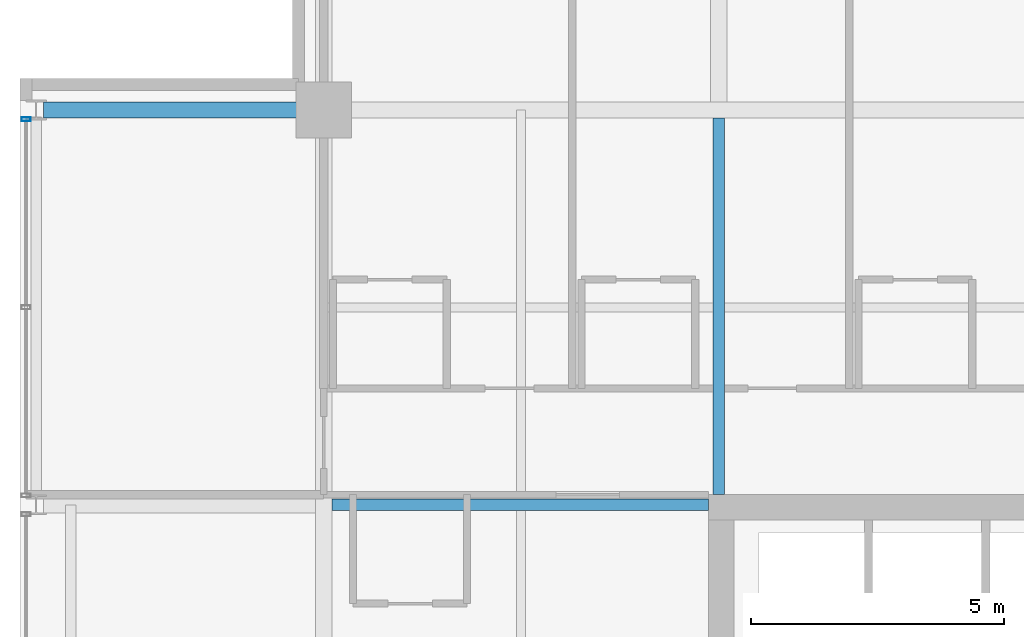
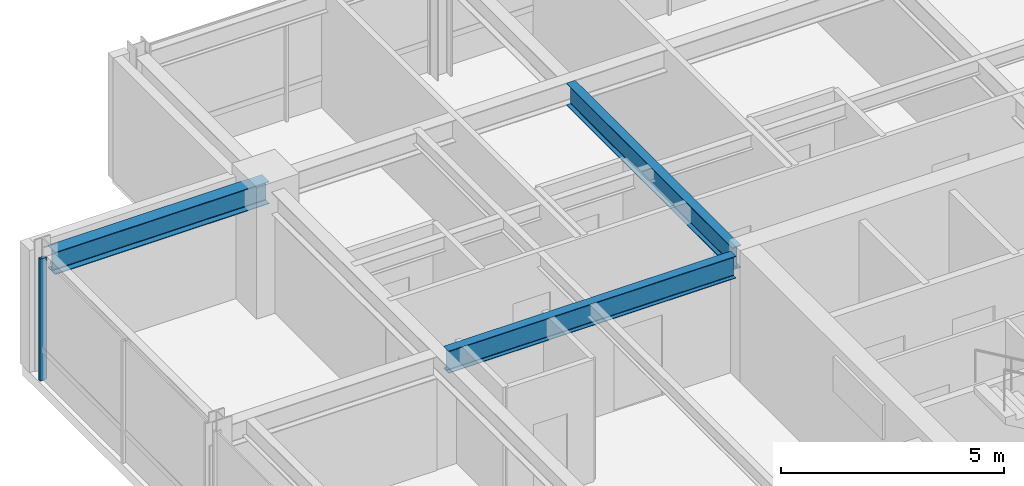
# One storey, part 19 of 34: 3 beams, 1 member, 1 element without a shape of its own.
"""IFC4 building model written with IfcOpenShell, lengths in metres."""

from ifc_helpers import new_model, si_unit, direction, frame, origin, origin_2d, place, context, subcontext, project, spatial, hollow_rectangle, i_section, extrude, material, layer, layer_set, material_profile, profile_set, type_object, element, aggregate, save


model = new_model("IFC4")

# Units and contexts
model_context = context("Model", 3, precision=1e-05, world=origin(), true_north=direction((0.0, 1.0)))
body_context = subcontext(model_context, "Body", "Model", "MODEL_VIEW")
ifc_project = project(units=[si_unit("LENGTHUNIT", "METRE"), si_unit("AREAUNIT", "SQUARE_METRE"), si_unit("VOLUMEUNIT", "CUBIC_METRE"), si_unit("PLANEANGLEUNIT", "RADIAN"), si_unit("MASSUNIT", "GRAM", prefix="KILO")], contexts=[model_context])

# Site, building, storey
site_placement = place(None, origin())
site = spatial("IfcSite", under=ifc_project, at=site_placement, CompositionType="ELEMENT")
building_placement = place(site_placement, origin())
building = spatial("IfcBuilding", under=site, at=building_placement, Name="Drelvath Grand Hotel", CompositionType="ELEMENT")
storey_placement = place(building_placement, frame((0.0, 0.0, 208.699951171875)))
storey = spatial("IfcBuildingStorey", under=building, at=storey_placement, Name="L54", CompositionType="ELEMENT", Elevation=208.699951171875)

# Curtain wall, member
ifc_material_1 = material(Name="Platinum-Mist Anodised Aluminium Frame", Category="aluminium")
ifc_layer = layer(ifc_material_1, 0.199951171875)
ifc_layer_set = layer_set([ifc_layer], Name="Platinum-Mist Anodised Aluminium Frame")
curtain_wall_type = type_object("IfcCurtainWallType", Name="Stick Curtain Wall CW-05 Platinum Mist High-Rise", PredefinedType="NOTDEFINED", material=ifc_layer_set)
curtain_wall_placement = place(storey_placement, origin())
curtain_wall = element("IfcCurtainWall", 1, at=curtain_wall_placement, inside=storey, type_object=curtain_wall_type, Name="L54 CW-05 Curtain Wall CW05-L54-WN2", PredefinedType="NOTDEFINED")
ifc_material_profile_1 = material_profile(ifc_material_1, hollow_rectangle(XDim=0.074951171875, YDim=0.179931640625, WallThickness=0.0048828125, at=origin_2d()), Name="HSS180X75X5")
ifc_profile_set_1 = profile_set([ifc_material_profile_1], Name="Platinum-Mist Anodised Aluminium Frame")
member_type = type_object("IfcMemberType", Name="Curtain Wall Vertical Mullion CW-05 HSS180X75X5", PredefinedType="MULLION", material=ifc_profile_set_1)
member_placement = place(storey_placement, frame((-22.080078125, 43.0146484375, 0.0), z_axis=(0.0, 0.0, 1.0), x_axis=(0.0, 1.0, 0.0)))
member = element("IfcMember", 2, at=member_placement, type_object=member_type, Name="CW05-L54-WN2 Mullion 3", PredefinedType="MULLION", context=body_context, shape_type="SweptSolid", body=[
    extrude(hollow_rectangle(XDim=0.074951171875, YDim=0.179931640625, WallThickness=0.0048828125, at=origin_2d()), origin(), (0.0, 0.0, 1.0), 3.340087890625),
])
aggregate(curtain_wall, [member])

# Beams
ifc_material_2 = material(Name="Steel ASTM A992 Gr 50", Category="steel")
ifc_material_profile_2 = material_profile(ifc_material_2, i_section(OverallWidth=0.323974609375, OverallDepth=0.611083984375, WebThickness=0.0126953125, FlangeThickness=0.01904296875, FilletRadius=0.02197265625, at=origin_2d()), Name="W24X104")
ifc_profile_set_2 = profile_set([ifc_material_profile_2], Name="Steel ASTM A992 Gr 50")
beam_type_1 = type_object("IfcBeamType", Name="Primary Floor Girder W24X104", PredefinedType="BEAM", material=ifc_profile_set_2)
beam_placement = place(storey_placement, frame((-21.739990234375, 43.199951171875, 3.034423828125), z_axis=(1.0, 0.0, 0.0), x_axis=(0.0, 1.0, 0.0)))
element("IfcBeam", 3, at=beam_placement, inside=storey, type_object=beam_type_1, Name="L54 West Grid Girder G", PredefinedType="BEAM", context=body_context, shape_type="SweptSolid", body=[
    extrude(i_section(OverallWidth=0.323974609375, OverallDepth=0.611083984375, WebThickness=0.0126953125, FlangeThickness=0.01904296875, FilletRadius=0.02197265625, at=origin_2d()), origin(), (0.0, 0.0, 1.0), 5.5400390625),
])
ifc_material_profile_3 = material_profile(ifc_material_2, i_section(OverallWidth=0.228271484375, OverallDepth=0.607666015625, WebThickness=0.01123046875, FlangeThickness=0.017333984375, FilletRadius=0.02001953125, at=origin_2d()), Name="W24X76")
ifc_profile_set_3 = profile_set([ifc_material_profile_3], Name="Steel ASTM A992 Gr 50")
beam_type_2 = type_object("IfcBeamType", Name="Primary Floor Girder W24X76", PredefinedType="BEAM", material=ifc_profile_set_3)
for number, where, z_axis, x_axis, name in (
    (4, (-16.0380859375, 35.39990234375, 3.0361328125), (1.0, 0.0, 0.0), (0.0, 1.0, 0.0), "L54 West Core Tie F"),
    (5, (-8.39990234375, 35.60009765625, 3.0361328125), (0.0, 1.0, 0.0), (-1.0, 0.0, 0.0), "L54 North Core Tie 4"),
):
    element("IfcBeam", number, at=place(storey_placement, frame(where, z_axis=z_axis, x_axis=x_axis)), inside=storey, type_object=beam_type_2, Name=name, PredefinedType="BEAM", context=body_context, shape_type="SweptSolid", body=[
        extrude(i_section(OverallWidth=0.228271484375, OverallDepth=0.607666015625, WebThickness=0.01123046875, FlangeThickness=0.017333984375, FilletRadius=0.02001953125, at=origin_2d()), origin(), (0.0, 0.0, 1.0), 7.43798828125),
    ])

save(model, "model.ifc")
